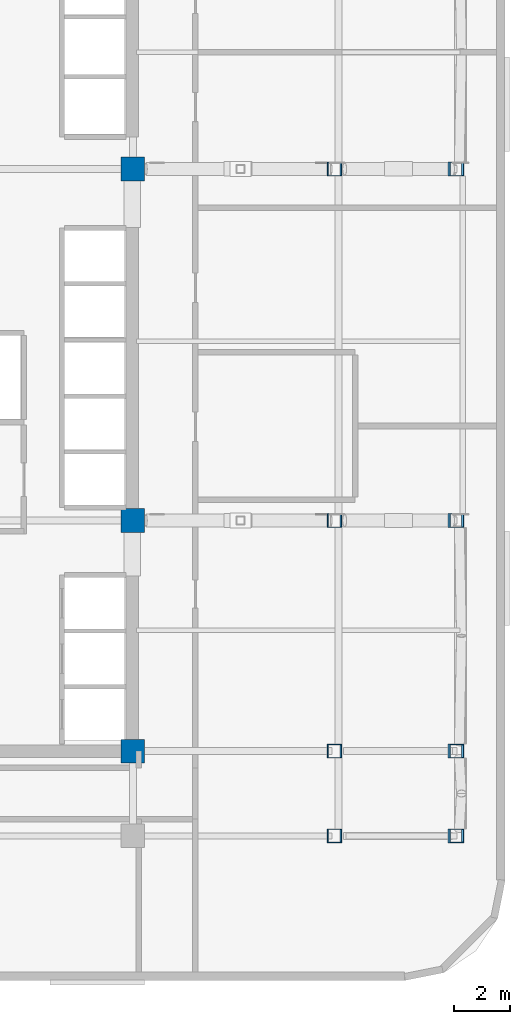
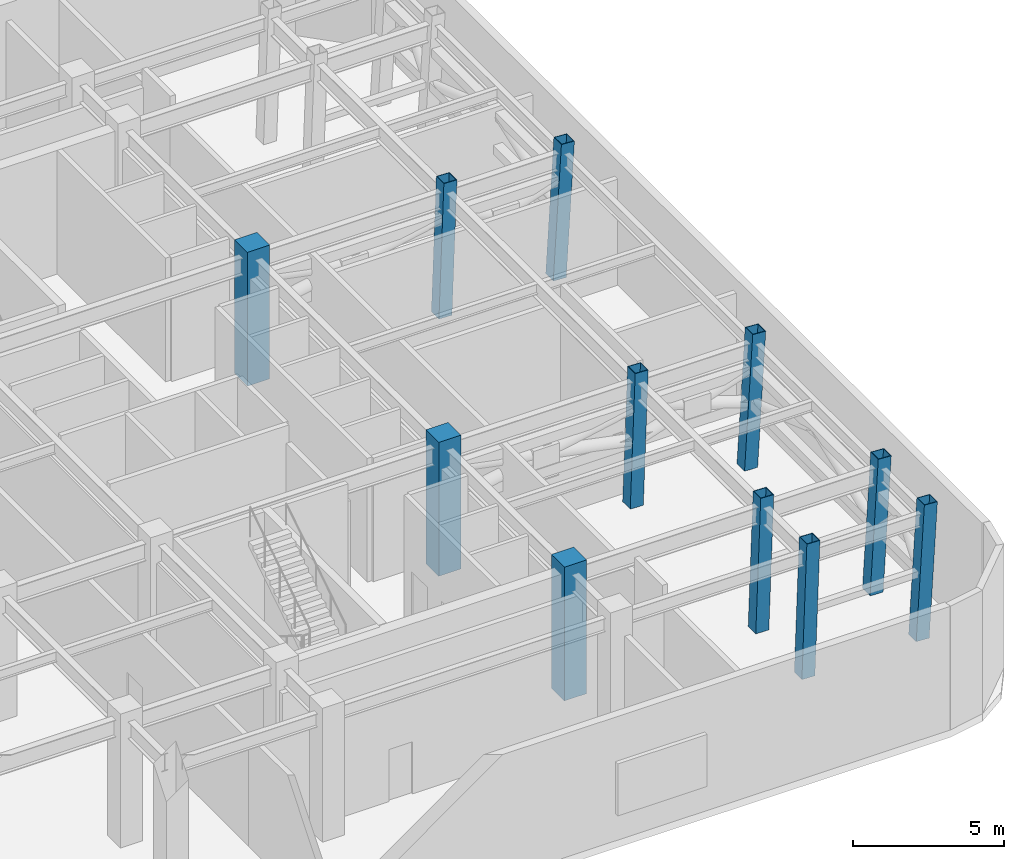
# One storey, part 2 of 14: 11 columns.
"""IFC4 building model written with IfcOpenShell, lengths in metres."""

from ifc_helpers import new_model, si_unit, direction, frame, origin, origin_2d, place, context, subcontext, project, spatial, rectangle, hollow_rectangle, extrude, material, material_profile, profile_set, type_object, element, save


model = new_model("IFC4")

# Units and contexts
model_context = context("Model", 3, precision=1e-05, world=origin(), true_north=direction((0.0, 1.0)))
body_context = subcontext(model_context, "Body", "Model", "MODEL_VIEW")
ifc_project = project(units=[si_unit("LENGTHUNIT", "METRE"), si_unit("AREAUNIT", "SQUARE_METRE"), si_unit("VOLUMEUNIT", "CUBIC_METRE"), si_unit("PLANEANGLEUNIT", "RADIAN"), si_unit("MASSUNIT", "GRAM", prefix="KILO")], contexts=[model_context])

# Site, building, storey
site_placement = place(None, origin())
site = spatial("IfcSite", under=ifc_project, at=site_placement, CompositionType="ELEMENT")
building_placement = place(site_placement, origin())
building = spatial("IfcBuilding", under=site, at=building_placement, Name="Ochreholt Gables", CompositionType="ELEMENT")
storey_placement = place(building_placement, frame((0.0, 0.0, 71.39990234375)))
storey = spatial("IfcBuildingStorey", under=building, at=storey_placement, Name="L18", CompositionType="ELEMENT", Elevation=71.39990234375)

# Columns
ifc_material_1 = material(Name="Steel CSA G40.21 350W", Category="steel")
ifc_material_profile_1 = material_profile(ifc_material_1, hollow_rectangle(XDim=0.5, YDim=0.5, WallThickness=0.02197265625, at=origin_2d()), Name="HSS500X500X22")
ifc_profile_set_1 = profile_set([ifc_material_profile_1], Name="Steel CSA G40.21 350W")
column_type_1 = type_object("IfcColumnType", Name="COL-HSS500-RAK", PredefinedType="COLUMN", material=ifc_profile_set_1)
for number, where, z_axis, x_axis, name in (
    (1, (42.43505859375, 9.25, 0.0), (0.034971136209, 0.0, 0.999388322742), (0.0, 1.0, 0.0), "L18 Column EMY2"),
    (2, (42.43505859375, 17.550048828125, 0.0), (0.034971136209, 0.0, 0.999388322742), (0.0, 1.0, 0.0), "L18 Column EMY3"),
    (3, (42.43505859375, 30.199951171875, 0.0), (0.034971136209, 0.0, 0.999388322742), (0.0, 1.0, 0.0), "L18 Column EMY4"),
):
    element("IfcColumn", number, at=place(storey_placement, frame(where, z_axis=z_axis, x_axis=x_axis)), inside=storey, type_object=column_type_1, Name=name, PredefinedType="COLUMN", context=body_context, shape_type="SweptSolid", body=[
        extrude(hollow_rectangle(XDim=0.5, YDim=0.5, WallThickness=0.02197265625, at=origin_2d()), origin(), (0.0, 0.0, 1.0), 5.403564453125),
    ])
ifc_material_profile_2 = material_profile(ifc_material_1, hollow_rectangle(XDim=0.5, YDim=0.5, WallThickness=0.02197265625, at=origin_2d()), Name="HSS500X500X22")
ifc_profile_set_2 = profile_set([ifc_material_profile_2], Name="Steel CSA G40.21 350W")
column_type_2 = type_object("IfcColumnType", Name="COL-HSS500-RAKE", PredefinedType="COLUMN", material=ifc_profile_set_2)
column_placement = place(storey_placement, frame((42.43505859375, 6.199951171875, 0.0), z_axis=(0.034971136209, 0.0, 0.999388322742), x_axis=(0.0, 1.0, 0.0)))
element("IfcColumn", 4, at=column_placement, inside=storey, type_object=column_type_2, Name="L18 Column EMY1", PredefinedType="COLUMN", context=body_context, shape_type="SweptSolid", body=[
    extrude(hollow_rectangle(XDim=0.5, YDim=0.5, WallThickness=0.02197265625, at=origin_2d()), origin(), (0.0, 0.0, 1.0), 5.403564453125),
])
for number, where, z_axis, x_axis, name in (
    (5, (46.798095703125, 6.199951171875, 0.0), (0.057862114793, 0.0, 0.998324584327), (0.0, 1.0, 0.0), "L18 Column EEY1"),
    (6, (46.798095703125, 9.25, 0.0), (0.057862114793, 0.0, 0.998324584327), (0.0, 1.0, 0.0), "L18 Column EEY2"),
    (7, (46.798095703125, 17.550048828125, 0.0), (0.057862114793, 0.0, 0.998324584327), (0.0, 1.0, 0.0), "L18 Column EEY3"),
    (8, (46.798095703125, 30.199951171875, 0.0), (0.057862114793, 0.0, 0.998324584327), (0.0, 1.0, 0.0), "L18 Column EEY4"),
):
    element("IfcColumn", number, at=place(storey_placement, frame(where, z_axis=z_axis, x_axis=x_axis)), inside=storey, type_object=column_type_2, Name=name, PredefinedType="COLUMN", context=body_context, shape_type="SweptSolid", body=[
        extrude(hollow_rectangle(XDim=0.5, YDim=0.5, WallThickness=0.02197265625, at=origin_2d()), origin(), (0.0, 0.0, 1.0), 5.4091796875),
    ])
ifc_material_2 = material(Name="Concrete 60 MPa", Category="concrete")
ifc_material_profile_3 = material_profile(ifc_material_2, rectangle(XDim=0.85009765625, YDim=0.85009765625, at=origin_2d()), Name="RC850X850")
ifc_profile_set_3 = profile_set([ifc_material_profile_3], Name="Concrete 60 MPa")
column_type_3 = type_object("IfcColumnType", Name="COL-RC850-INT", PredefinedType="COLUMN", material=ifc_profile_set_3)
for number, where, z_axis, x_axis, name in (
    (9, (35.199951171875, 9.25, 0.0), (0.0, 0.0, 1.0), (1.0, 0.0, 0.0), "L18 Column C2Y2"),
    (10, (35.199951171875, 17.550048828125, 0.0), (0.0, 0.0, 1.0), (1.0, 0.0, 0.0), "L18 Column C2Y3"),
    (11, (35.199951171875, 30.199951171875, 0.0), (0.0, 0.0, 1.0), (1.0, 0.0, 0.0), "L18 Column C2Y4"),
):
    element("IfcColumn", number, at=place(storey_placement, frame(where, z_axis=z_axis, x_axis=x_axis)), inside=storey, type_object=column_type_3, Name=name, PredefinedType="COLUMN", context=body_context, shape_type="SweptSolid", body=[
        extrude(rectangle(XDim=0.85009765625, YDim=0.85009765625, at=origin_2d()), origin(), (0.0, 0.0, 1.0), 5.400146484375),
    ])

save(model, "model.ifc")
